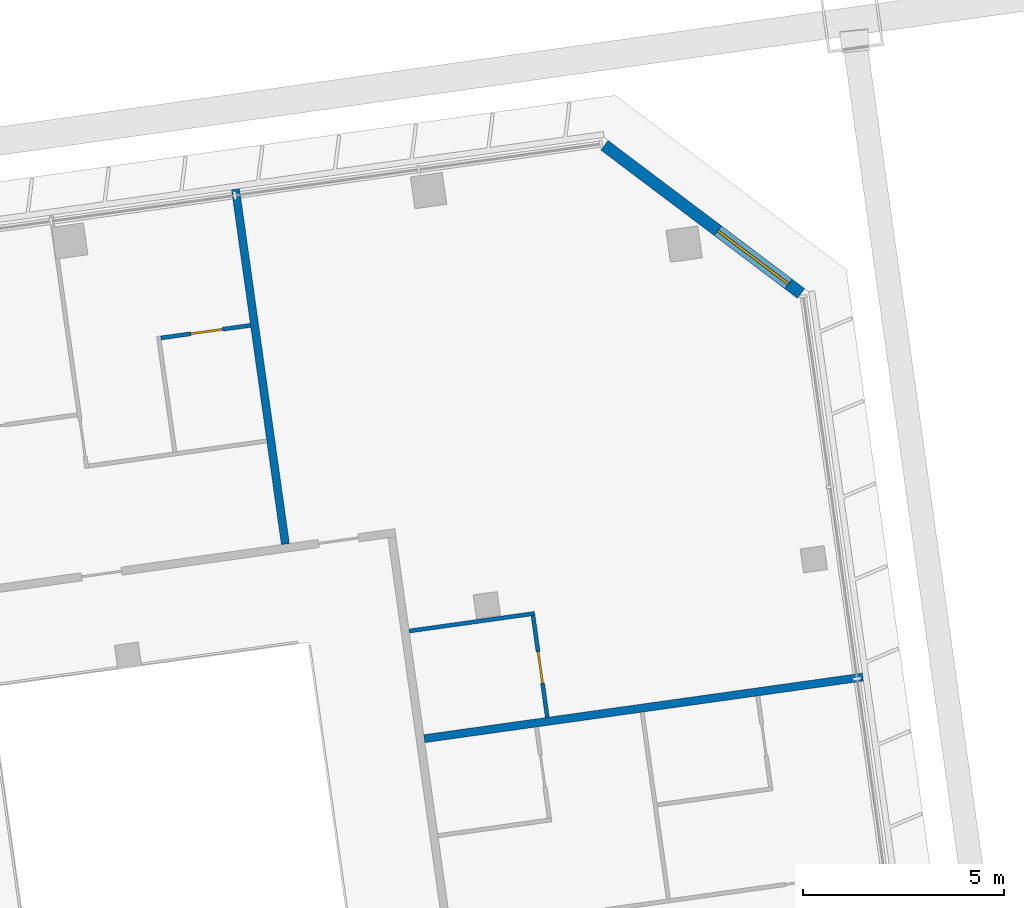
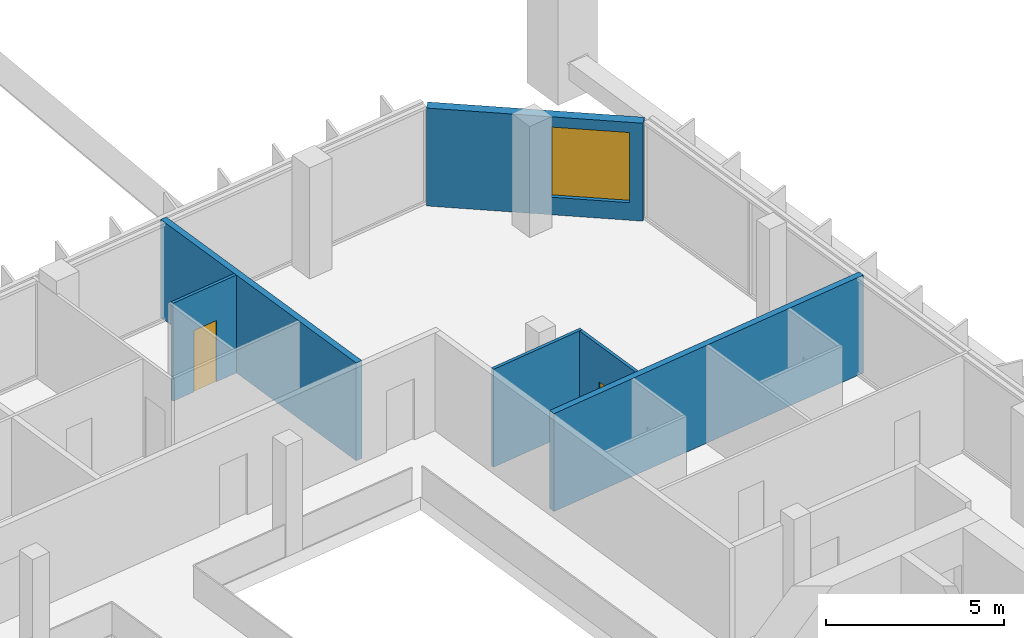
# One storey, part 31 of 38: 6 walls, 2 doors, 1 window, 3 openings.
"""IFC4 building model written with IfcOpenShell, lengths in metres."""

import ifcopenshell
import ifcopenshell.guid

model = None  # the IFC model being written
_history = None  # IfcOwnerHistory: only IFC2X3 demands one
_inside = {}  # id of a spatial element -> (the spatial element, [elements in it])
_under = {}  # id of a project, library or spatial element -> (it, [spatial elements below it])
_declared = {}  # id of a project -> (the project, [libraries it declares])
_typed = {}  # id of a type object -> (the type object, [elements of that type])
_made_of = {}  # id of a material, layer set ... -> (it, [elements and type objects made of it])


def new_model(schema):
    """Start an empty IFC model of exactly this schema.

    Asked for "IFC4X3", IfcOpenShell would pick the latest addendum, in which some entities
    have other attributes; the version numbers below select the first issue.
    IFC2X3 requires an IfcOwnerHistory on every rooted entity: one is made here for all.
    """
    global model, _history
    if schema == "IFC4X3":
        model = ifcopenshell.file(schema_version=(4, 3, 0, 0))
    else:
        model = ifcopenshell.file(schema=schema)
    _inside.clear()
    _under.clear()
    _declared.clear()
    _typed.clear()
    _made_of.clear()
    _history = None
    if model.schema == "IFC2X3":
        org = make("IfcOrganization", Name="unknown")
        user = make(
            "IfcPersonAndOrganization",
            ThePerson=make("IfcPerson", FamilyName="unknown"),
            TheOrganization=org,
        )
        app = make(
            "IfcApplication",
            ApplicationDeveloper=org,
            Version="unknown",
            ApplicationFullName="unknown",
            ApplicationIdentifier="unknown",
        )
        _history = make(
            "IfcOwnerHistory",
            OwningUser=user,
            OwningApplication=app,
            ChangeAction="ADDED",
            CreationDate=0,
        )
    return model


def make(cls, **values):
    """One entity of the class cls with the attributes given. An attribute that is None is left unset."""
    return model.create_entity(
        cls, **{name: value for name, value in values.items() if value is not None}
    )


def rooted(cls, **values):
    """An entity with a GlobalId (a new one), such as an element, a storey or a relation."""
    return make(cls, GlobalId=ifcopenshell.guid.new(), OwnerHistory=_history, **values)


def si_unit(unit_type, name, prefix=None):
    """IfcSIUnit, for example si_unit("LENGTHUNIT", "METRE", prefix="MILLI")."""
    return make("IfcSIUnit", UnitType=unit_type, Prefix=prefix, Name=name)


def assignment(units):
    """IfcUnitAssignment: the units of a project."""
    return None if units is None else make("IfcUnitAssignment", Units=units)


def point(xyz):
    """IfcCartesianPoint."""
    return None if xyz is None else make("IfcCartesianPoint", Coordinates=xyz)


def direction(xyz):
    """IfcDirection."""
    return None if xyz is None else make("IfcDirection", DirectionRatios=xyz)


def frame(location, z_axis=None, x_axis=None):
    """IfcAxis2Placement3D, a coordinate frame: its origin and axes. An axis left out is left unset."""
    return make(
        "IfcAxis2Placement3D",
        Location=point(location),
        Axis=direction(z_axis),
        RefDirection=direction(x_axis),
    )


def frame_2d(location, x_axis=None):
    """IfcAxis2Placement2D, a coordinate frame in the plane: its origin and x axis."""
    return make(
        "IfcAxis2Placement2D", Location=point(location), RefDirection=direction(x_axis)
    )


def origin():
    """The frame at (0, 0, 0) with its axes left unset."""
    return frame((0.0, 0.0, 0.0))


def place(relative_to, where):
    """IfcLocalPlacement: puts the frame where relative to a parent placement (None: the world)."""
    return make(
        "IfcLocalPlacement", PlacementRelTo=relative_to, RelativePlacement=where
    )


def context(
    kind, dimensions, precision=None, world=None, true_north=None, identifier=None
):
    """IfcGeometricRepresentationContext, for example the 3D "Model" context."""
    return make(
        "IfcGeometricRepresentationContext",
        ContextIdentifier=identifier,
        ContextType=kind,
        CoordinateSpaceDimension=dimensions,
        Precision=precision,
        WorldCoordinateSystem=world,
        TrueNorth=true_north,
    )


def subcontext(parent, identifier, kind, view, scale=None):
    """IfcGeometricRepresentationSubContext, for example "Body" below "Model"."""
    return make(
        "IfcGeometricRepresentationSubContext",
        ContextIdentifier=identifier,
        ContextType=kind,
        ParentContext=parent,
        TargetScale=scale,
        TargetView=view,
    )


def project(units=None, contexts=None):
    """IfcProject with its units and contexts."""
    return rooted(
        "IfcProject",
        Name="project",
        RepresentationContexts=contexts,
        UnitsInContext=assignment(units),
    )


def spatial(cls, under=None, at=None, **own):
    """A site, building, storey or space (cls), placed at a placement, below another one or the project."""
    s = rooted(cls, ObjectPlacement=at, **own)
    if under is not None:
        _under.setdefault(under.id(), (under, []))[1].append(s)
    return s


def profile(cls, at=None, kind="AREA", **sizes):
    """A parametric profile (cls). Its sizes go by their IFC names, for example OverallWidth=200.0."""
    return make(cls, ProfileType=kind, Position=at, **sizes)


def rectangle(**sizes):
    """IfcRectangleProfileDef."""
    return profile("IfcRectangleProfileDef", **sizes)


def extrude(swept, where, along, depth):
    """IfcExtrudedAreaSolid: the profile swept, set in the frame where, extruded along a direction by depth."""
    return make(
        "IfcExtrudedAreaSolid",
        SweptArea=swept,
        Position=where,
        ExtrudedDirection=direction(along),
        Depth=depth,
    )


def shape(context_of_items, identifier, shape_type, items):
    """IfcShapeRepresentation: the items that make up one representation, for example the "Body"."""
    return make(
        "IfcShapeRepresentation",
        ContextOfItems=context_of_items,
        RepresentationIdentifier=identifier,
        RepresentationType=shape_type,
        Items=items,
    )


def material(Name=None, Category=None):
    """IfcMaterial."""
    return make("IfcMaterial", Name=Name, Category=Category)


def layer(
    of_material, thickness, ventilated=None, Name=None, Category=None, Priority=None
):
    """IfcMaterialLayer: one layer of a wall or slab, of a material (None: an air gap)."""
    return make(
        "IfcMaterialLayer",
        Material=of_material,
        LayerThickness=thickness,
        IsVentilated=ventilated,
        Name=Name,
        Category=Category,
        Priority=Priority,
    )


def layer_set(layers, Name=None):
    """IfcMaterialLayerSet."""
    return make("IfcMaterialLayerSet", MaterialLayers=layers, LayerSetName=Name)


def made_of(thing, what):
    """Note that an element or type object is made of a material, layer set ...; save() writes the relation."""
    if what is not None:
        _made_of.setdefault(what.id(), (what, []))[1].append(thing)
    return thing


def type_object(cls, material=None, **own):
    """A type object (cls), such as IfcWallType, which elements share."""
    return made_of(rooted(cls, **own), material)


def element(
    cls,
    number,
    at=None,
    inside=None,
    cuts=None,
    type_object=None,
    material=None,
    context=None,
    identifier="Body",
    shape_type=None,
    held_by="IfcProductDefinitionShape",
    body=None,
    shapes=None,
    **own,
):
    """One element of the class cls, such as IfcWall. Its Tag is "e" and its number.

    at: its placement. inside: the storey or other place that contains it. cuts: it is an
    opening in that element (IfcRelVoidsElement). A single representation is given by context,
    identifier, shape_type and body (its items); several are given by shapes. held_by: the class
    of the entity that holds the representations. save() writes the other relations.
    """
    e = rooted(cls, Tag="e%d" % number, ObjectPlacement=at, **own)
    if body is not None:
        shapes = [shape(context, identifier, shape_type, body)]
    if shapes is not None:
        e.Representation = make(held_by, Representations=shapes)
    if inside is not None:
        _inside.setdefault(inside.id(), (inside, []))[1].append(e)
    if cuts is not None:
        rooted(
            "IfcRelVoidsElement", RelatingBuildingElement=cuts, RelatedOpeningElement=e
        )
    if type_object is not None:
        _typed.setdefault(type_object.id(), (type_object, []))[1].append(e)
    return made_of(e, material)


def fill(opening, filler):
    """IfcRelFillsElement: the door or window that sits in an opening."""
    return rooted(
        "IfcRelFillsElement",
        RelatingOpeningElement=opening,
        RelatedBuildingElement=filler,
    )


def aggregate(whole, parts):
    """IfcRelAggregates: a whole, such as a stair, and the parts it consists of."""
    return rooted("IfcRelAggregates", RelatingObject=whole, RelatedObjects=parts)


def save(model, path):
    """Write the relations noted so far, then the file.

    IfcRelAggregates (storeys below a building ...), IfcRelContainedInSpatialStructure (elements
    in a storey), IfcRelDefinesByType, IfcRelAssociatesMaterial and IfcRelDeclares: one each for
    every whole, place, type object, material and project.
    """
    for whole, parts in _under.values():
        aggregate(whole, parts)
    for where, things in _inside.values():
        rooted(
            "IfcRelContainedInSpatialStructure",
            RelatedElements=things,
            RelatingStructure=where,
        )
    for kind, things in _typed.values():
        rooted("IfcRelDefinesByType", RelatedObjects=things, RelatingType=kind)
    for what, things in _made_of.values():
        rooted("IfcRelAssociatesMaterial", RelatedObjects=things, RelatingMaterial=what)
    for by, libraries in _declared.values():
        rooted("IfcRelDeclares", RelatingContext=by, RelatedDefinitions=libraries)
    model.write(path)


model = new_model("IFC4")

# Units and contexts
model_context = context("Model", 3, precision=1e-05, world=origin(), true_north=direction((0.0, 1.0)))
body_context = subcontext(model_context, "Body", "Model", "MODEL_VIEW")
ifc_project = project(units=[si_unit("LENGTHUNIT", "METRE"), si_unit("AREAUNIT", "SQUARE_METRE"), si_unit("VOLUMEUNIT", "CUBIC_METRE"), si_unit("PLANEANGLEUNIT", "RADIAN"), si_unit("MASSUNIT", "GRAM", prefix="KILO")], contexts=[model_context])

# Site, building, storey
site_placement = place(None, origin())
site = spatial("IfcSite", under=ifc_project, at=site_placement, CompositionType="ELEMENT")
building_placement = place(site_placement, origin())
building = spatial("IfcBuilding", under=site, at=building_placement, Name="Mirante Cascada Hotel Towers", CompositionType="ELEMENT")
storey_placement = place(building_placement, frame((0.0, 0.0, 184.0)))
storey = spatial("IfcBuildingStorey", under=building, at=storey_placement, Name="L43", CompositionType="ELEMENT", Elevation=184.0)

# Walls
ifc_material_1 = material(Name="Fire-rated plasterboard on metal studs")
ifc_layer_1 = layer(ifc_material_1, 0.2)
ifc_layer_set_1 = layer_set([ifc_layer_1], Name="Compartment wall 200 EI 120")
wall_type_1 = type_object("IfcWallType", Name="Compartment wall 200 EI 120", PredefinedType="PARTITIONING", material=ifc_layer_set_1)
wall_1_placement = place(storey_placement, frame((71.9089, 8.7707, 0.0), z_axis=(0.0, 0.0, 1.0), x_axis=(0.990268, 0.1391733, 0.0)))
element("IfcWall", 1, at=wall_1_placement, inside=storey, type_object=wall_type_1, Name="Wall 2-L43-14", PredefinedType="PARTITIONING", context=body_context, shape_type="SweptSolid", body=[
    extrude(rectangle(XDim=11.0, YDim=0.2, at=frame_2d((5.5, 0.0))), origin(), (0.0, 0.0, 1.0), 3.35),
])
wall_2_placement = place(storey_placement, frame((67.2198, 22.4176, 0.0), z_axis=(0.0, 0.0, 1.0), x_axis=(0.1391794, -0.9902672, 0.0)))
element("IfcWall", 2, at=wall_2_placement, inside=storey, type_object=wall_type_1, Name="Wall 2-L43-47", PredefinedType="PARTITIONING", context=body_context, shape_type="SweptSolid", body=[
    extrude(rectangle(XDim=8.9, YDim=0.2, at=frame_2d((4.45, 0.0))), origin(), (0.0, 0.0, 1.0), 3.35),
])
ifc_material_2 = material(Name="Plasterboard on metal studs")
ifc_layer_2 = layer(ifc_material_2, 0.1)
ifc_layer_set_2 = layer_set([ifc_layer_2], Name="Partition 100")
wall_type_2 = type_object("IfcWallType", Name="Partition 100", PredefinedType="PARTITIONING", material=ifc_layer_set_2)
wall_3_placement = place(storey_placement, frame((74.6524, 11.8828, 0.0), z_axis=(0.0, 0.0, 1.0), x_axis=(-0.9902676, -0.1391765, 0.0)))
element("IfcWall", 3, at=wall_3_placement, inside=storey, type_object=wall_type_2, Name="Wall 2-L43-15", PredefinedType="PARTITIONING", context=body_context, shape_type="SweptSolid", body=[
    extrude(rectangle(XDim=3.15, YDim=0.1, at=frame_2d((1.575, 0.0))), origin(), (0.0, 0.0, 1.0), 3.35),
])

# Wall, opening, door
wall_4_placement = place(storey_placement, frame((65.3659, 18.7237, 0.0), z_axis=(0.0, 0.0, 1.0), x_axis=(0.9902705, 0.1391561, 0.0)))
wall_4 = element("IfcWall", 4, at=wall_4_placement, inside=storey, type_object=wall_type_2, Name="Wall 2-L43-26", PredefinedType="PARTITIONING", context=body_context, shape_type="SweptSolid", body=[
    extrude(rectangle(XDim=2.25, YDim=0.1, at=frame_2d((1.125, 0.0))), origin(), (0.0, 0.0, 1.0), 3.35),
])
opening_1_placement = place(wall_4_placement, frame((0.75, 0.0, 0.0)))
opening_1 = element("IfcOpeningElement", 5, at=opening_1_placement, cuts=wall_4, Name="Opening D2-L43-20", PredefinedType="OPENING", context=body_context, shape_type="SweptSolid", body=[
    extrude(rectangle(XDim=0.8, YDim=2.1, at=frame_2d((0.4, 1.05))), frame((0.0, 0.05, 0.0), z_axis=(0.0, -1.0, 0.0), x_axis=(1.0, 0.0, 0.0)), (0.0, 0.0, 1.0), 0.1),
])
ifc_material_3 = material(Name="Timber door leaf", Category="wood")
door_type = type_object("IfcDoorType", Name="Bathroom door DG4 800x2100", OperationType="SINGLE_SWING_LEFT", PredefinedType="DOOR", material=ifc_material_3)
door_1_placement = place(opening_1_placement, origin())
door_1 = element("IfcDoor", 6, at=door_1_placement, inside=storey, type_object=door_type, Name="Door D2-L43-20", OperationType="SINGLE_SWING_LEFT", OverallHeight=2.1, OverallWidth=0.8, PredefinedType="DOOR", context=body_context, shape_type="SweptSolid", body=[
    extrude(rectangle(XDim=0.8, YDim=2.1, at=frame_2d((0.4, 1.05))), frame((0.0, 0.025, 0.0), z_axis=(0.0, -1.0, 0.0), x_axis=(1.0, 0.0, 0.0)), (0.0, 0.0, 1.0), 0.05),
])
fill(opening_1, door_1)

wall_5_placement = place(storey_placement, frame((74.9648, 9.3012, 0.0), z_axis=(0.0, 0.0, 1.0), x_axis=(-0.1391755, 0.9902677, 0.0)))
wall_5 = element("IfcWall", 7, at=wall_5_placement, inside=storey, type_object=wall_type_2, Name="Wall 2-L43-50", PredefinedType="PARTITIONING", context=body_context, shape_type="SweptSolid", body=[
    extrude(rectangle(XDim=2.55, YDim=0.1, at=frame_2d((1.275, 0.0))), origin(), (0.0, 0.0, 1.0), 3.35),
])
opening_2_placement = place(wall_5_placement, frame((0.85, 0.0, 0.0)))
opening_2 = element("IfcOpeningElement", 8, at=opening_2_placement, cuts=wall_5, Name="Opening D2-L43-33", PredefinedType="OPENING", context=body_context, shape_type="SweptSolid", body=[
    extrude(rectangle(XDim=0.8, YDim=2.1, at=frame_2d((0.4, 1.05))), frame((0.0, 0.05, 0.0), z_axis=(0.0, -1.0, 0.0), x_axis=(1.0, 0.0, 0.0)), (0.0, 0.0, 1.0), 0.1),
])
door_2_placement = place(opening_2_placement, frame((0.8, 0.0, 0.0), z_axis=(0.0, 0.0, 1.0), x_axis=(-1.0, 0.0, 0.0)))
door_2 = element("IfcDoor", 9, at=door_2_placement, inside=storey, type_object=door_type, Name="Door D2-L43-33", OperationType="SINGLE_SWING_RIGHT", OverallHeight=2.1, OverallWidth=0.8, PredefinedType="DOOR", context=body_context, shape_type="SweptSolid", body=[
    extrude(rectangle(XDim=0.8, YDim=2.1, at=frame_2d((0.4, 1.05))), frame((0.0, 0.025, 0.0), z_axis=(0.0, -1.0, 0.0), x_axis=(1.0, 0.0, 0.0)), (0.0, 0.0, 1.0), 0.05),
])
fill(opening_2, door_2)

# Wall, opening, window
ifc_material_4 = material(Name="Precast concrete C40/50", Category="concrete")
ifc_layer_3 = layer(ifc_material_4, 0.3)
ifc_layer_set_3 = layer_set([ifc_layer_3], Name="Precast concrete C40/50 cladding wall 300")
wall_type_3 = type_object("IfcWallType", Name="Precast concrete C40/50 cladding wall 300", PredefinedType="STANDARD", material=ifc_layer_set_3)
wall_6_placement = place(storey_placement, frame((81.2671, 19.8291, 0.0), z_axis=(0.0, 0.0, 1.0), x_axis=(-0.7986343, 0.6018167, 0.0)))
wall_6 = element("IfcWall", 10, at=wall_6_placement, inside=storey, type_object=wall_type_3, Name="Corner cladding wall T2 L43 outer front", PredefinedType="STANDARD", context=body_context, shape_type="SweptSolid", body=[
    extrude(rectangle(XDim=6.1158, YDim=0.3, at=frame_2d((3.0579, 0.0))), origin(), (0.0, 0.0, 1.0), 3.35),
])
opening_3_placement = place(wall_6_placement, frame((0.3914, 0.0, 0.6)))
opening_3 = element("IfcOpeningElement", 11, at=opening_3_placement, cuts=wall_6, Name="Opening W2-43-02", PredefinedType="OPENING", context=body_context, shape_type="SweptSolid", body=[
    extrude(rectangle(XDim=2.2, YDim=2.4, at=frame_2d((1.1, 1.2))), frame((0.0, 0.15, 0.0), z_axis=(0.0, -1.0, 0.0), x_axis=(1.0, 0.0, 0.0)), (0.0, 0.0, 1.0), 0.3),
])
ifc_material_5 = material(Name="Aluminium frame with clear double glazing", Category="aluminium")
window_type = type_object("IfcWindowType", Name="Corner suite window 2200x2400", PartitioningType="DOUBLE_PANEL_VERTICAL", PredefinedType="WINDOW", material=ifc_material_5)
window_placement = place(opening_3_placement, origin())
window = element("IfcWindow", 12, at=window_placement, inside=storey, type_object=window_type, Name="Window W2-43-02", OverallHeight=2.4, OverallWidth=2.2, PartitioningType="SINGLE_PANEL", PredefinedType="WINDOW", context=body_context, shape_type="SweptSolid", body=[
    extrude(rectangle(XDim=2.2, YDim=2.4, at=frame_2d((1.1, 1.2))), frame((0.0, 0.03, 0.0), z_axis=(0.0, -1.0, 0.0), x_axis=(1.0, 0.0, 0.0)), (0.0, 0.0, 1.0), 0.06),
])
fill(opening_3, window)

save(model, "model.ifc")
